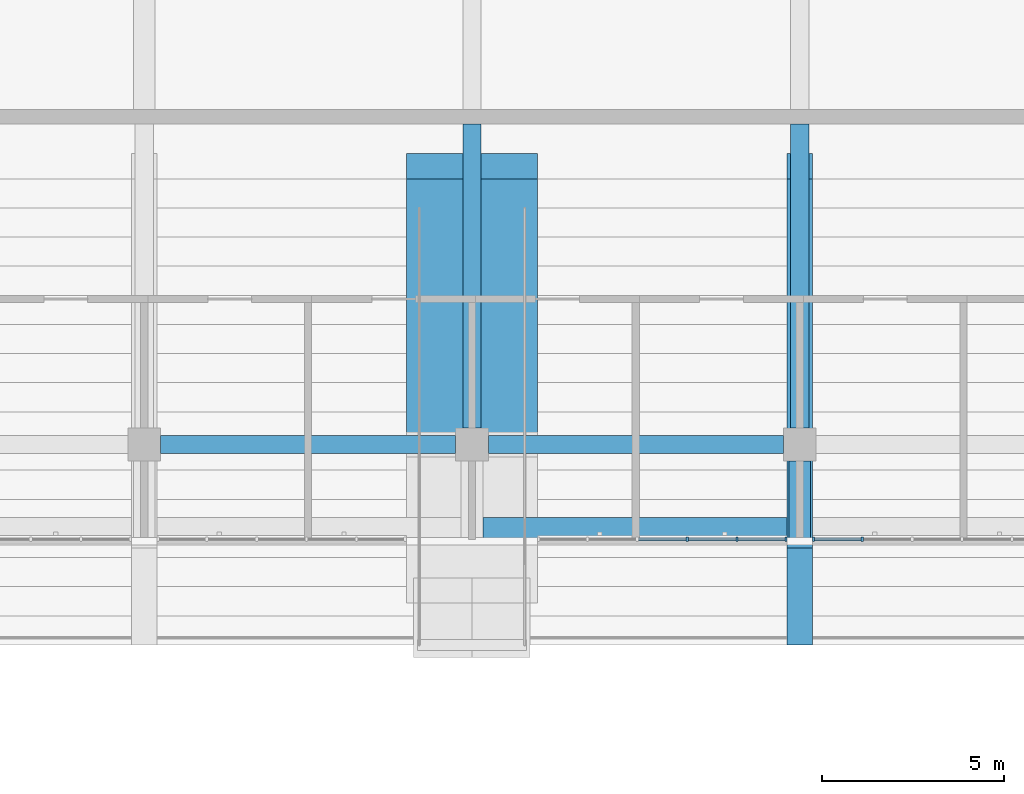
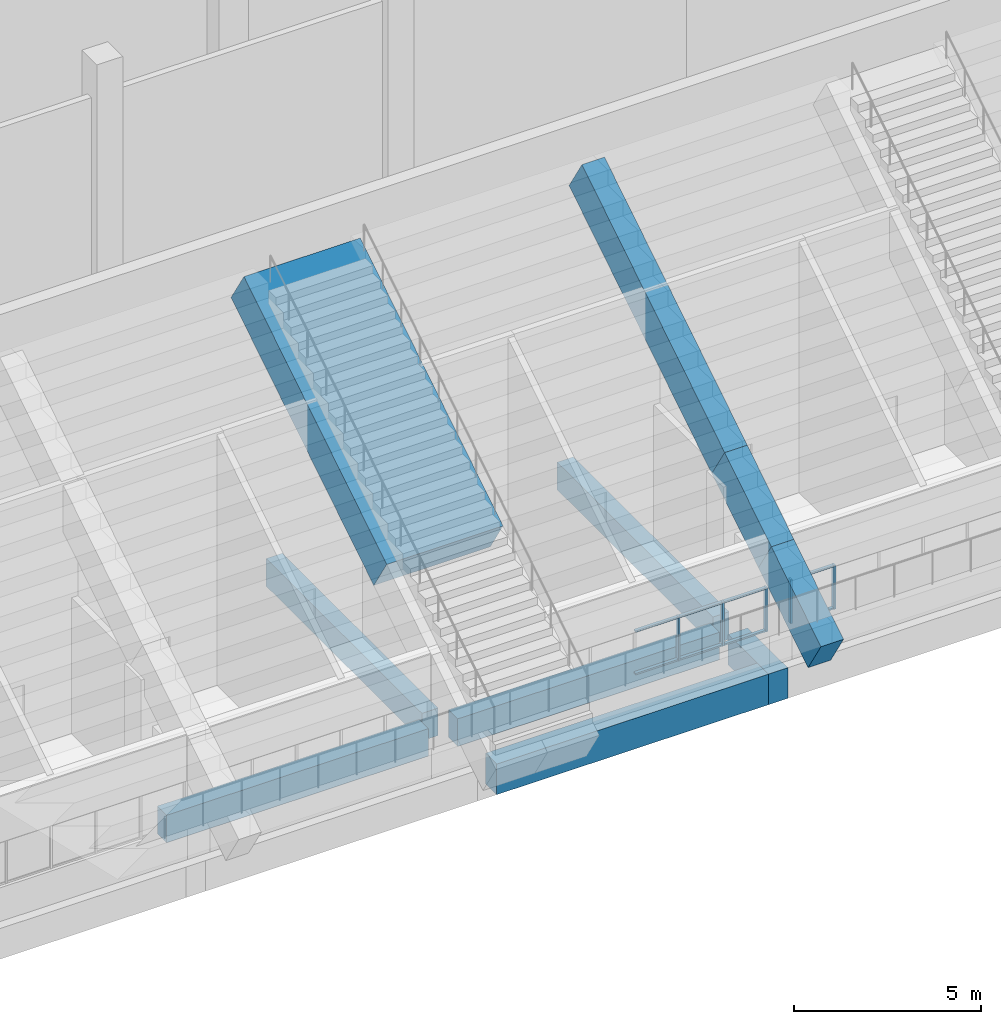
# One storey, part 37 of 182: 13 members, 10 beams, 2 elements without a shape of their own.
"""IFC4 building model written with IfcOpenShell, lengths in metres."""

from ifc_helpers import new_model, si_unit, direction, frame, origin, origin_2d, place, context, subcontext, project, spatial, rectangle, extrude, material, material_profile, profile_set, type_object, element, aggregate, save


model = new_model("IFC4")

# Units and contexts
model_context = context("Model", 3, precision=1e-05, world=origin(), true_north=direction((0.0, 1.0)))
body_context = subcontext(model_context, "Body", "Model", "MODEL_VIEW")
ifc_project = project(units=[si_unit("LENGTHUNIT", "METRE"), si_unit("AREAUNIT", "SQUARE_METRE"), si_unit("VOLUMEUNIT", "CUBIC_METRE"), si_unit("PLANEANGLEUNIT", "RADIAN"), si_unit("MASSUNIT", "GRAM", prefix="KILO")], contexts=[model_context])

# Site, building, storey
site_placement = place(None, origin())
site = spatial("IfcSite", under=ifc_project, at=site_placement, CompositionType="ELEMENT")
building_placement = place(site_placement, origin())
building = spatial("IfcBuilding", under=site, at=building_placement, Name="Silverbay Arena", CompositionType="ELEMENT")
storey_placement = place(building_placement, frame((0.0, 0.0, 11.5)))
storey = spatial("IfcBuildingStorey", under=building, at=storey_placement, Name="L02", CompositionType="ELEMENT", Elevation=11.5)

# Curtain wall, members
ifc_material_1 = material(Name="Fire-resisting glass", Category="glass")
curtain_wall_type = type_object("IfcCurtainWallType", Name="Fire-resisting glazed screen EI 120 6850 x 1437", PredefinedType="NOTDEFINED", material=ifc_material_1)
curtain_wall_1_placement = place(storey_placement, origin())
curtain_wall_1 = element("IfcCurtainWall", 1, at=curtain_wall_1_placement, inside=storey, type_object=curtain_wall_type, Name="North suite front 4", PredefinedType="NOTDEFINED")
ifc_material_2 = material(Name="Aluminium", Category="aluminium")
ifc_material_profile_1 = material_profile(ifc_material_2, rectangle(XDim=0.1201171875, YDim=0.06005859375, at=origin_2d()), Name="Mullion 60 x 120")
ifc_profile_set_1 = profile_set([ifc_material_profile_1], Name="Aluminium")
member_type_1 = type_object("IfcMemberType", Name="Mullion 60 x 120", PredefinedType="MULLION", material=ifc_profile_set_1)
member_1_placement = place(storey_placement, frame((131.909912109375, 114.39990234375, 1.10009765625), z_axis=(0.0, 0.0, 1.0), x_axis=(0.0, 1.0, 0.0)))
member_1 = element("IfcMember", 2, at=member_1_placement, type_object=member_type_1, Name="CW19 mullion 4", PredefinedType="MULLION", context=body_context, shape_type="SweptSolid", body=[
    extrude(rectangle(XDim=0.1201171875, YDim=0.06005859375, at=origin_2d()), origin(), (0.0, 0.0, 1.0), 1.43701171875),
])
member_2_placement = place(storey_placement, frame((133.280029296875, 114.39990234375, 1.10009765625), z_axis=(0.0, 0.0, 1.0), x_axis=(0.0, 1.0, 0.0)))
member_2 = element("IfcMember", 3, at=member_2_placement, type_object=member_type_1, Name="CW19 mullion 5", PredefinedType="MULLION", context=body_context, shape_type="SweptSolid", body=[
    extrude(rectangle(XDim=0.1201171875, YDim=0.06005859375, at=origin_2d()), origin(), (0.0, 0.0, 1.0), 1.43701171875),
])
member_3_placement = place(storey_placement, frame((134.6201171875, 114.39990234375, 1.10009765625), z_axis=(0.0, 0.0, 1.0), x_axis=(0.0, 1.0, 0.0)))
member_3 = element("IfcMember", 4, at=member_3_placement, type_object=member_type_1, Name="CW19 mullion 6", PredefinedType="MULLION", context=body_context, shape_type="SweptSolid", body=[
    extrude(rectangle(XDim=0.1201171875, YDim=0.06005859375, at=origin_2d()), origin(), (0.0, 0.0, 1.0), 1.43701171875),
])

curtain_wall_2_placement = place(storey_placement, origin())
curtain_wall_2 = element("IfcCurtainWall", 5, at=curtain_wall_2_placement, inside=storey, type_object=curtain_wall_type, Name="North suite front 5", PredefinedType="NOTDEFINED")
member_4_placement = place(storey_placement, frame((135.3798828125, 114.39990234375, 1.10009765625), z_axis=(0.0, 0.0, 1.0), x_axis=(0.0, 1.0, 0.0)))
member_4 = element("IfcMember", 6, at=member_4_placement, type_object=member_type_1, Name="CW19 mullion 1", PredefinedType="MULLION", context=body_context, shape_type="SweptSolid", body=[
    extrude(rectangle(XDim=0.1201171875, YDim=0.06005859375, at=origin_2d()), origin(), (0.0, 0.0, 1.0), 1.43701171875),
])
member_5_placement = place(storey_placement, frame((136.719970703125, 114.39990234375, 1.10009765625), z_axis=(0.0, 0.0, 1.0), x_axis=(0.0, 1.0, 0.0)))
member_5 = element("IfcMember", 7, at=member_5_placement, type_object=member_type_1, Name="CW19 mullion 2", PredefinedType="MULLION", context=body_context, shape_type="SweptSolid", body=[
    extrude(rectangle(XDim=0.1201171875, YDim=0.06005859375, at=origin_2d()), origin(), (0.0, 0.0, 1.0), 1.43701171875),
])

# Beams
ifc_material_3 = material(Name="Concrete Grade C45", Category="concrete")
ifc_material_profile_2 = material_profile(ifc_material_3, rectangle(XDim=0.5, YDim=0.89990234375, at=origin_2d()), Name="RC 500x900")
ifc_profile_set_2 = profile_set([ifc_material_profile_2], Name="Concrete Grade C45")
beam_type_1 = type_object("IfcBeamType", Name="RC beam 500x900", PredefinedType="BEAM", material=ifc_profile_set_2)
for number, where, z_axis, x_axis, name in (
    (8, (117.449951171875, 117.0, -0.800048828125), (1.0, 0.0, 0.0), (0.0, 1.0, 0.0), "Floor beam L02 144"),
    (9, (126.449951171875, 117.0, -0.800048828125), (1.0, 0.0, 0.0), (0.0, 1.0, 0.0), "Floor beam L02 145"),
):
    element("IfcBeam", number, at=place(storey_placement, frame(where, z_axis=z_axis, x_axis=x_axis)), inside=storey, type_object=beam_type_1, Name=name, PredefinedType="BEAM", context=body_context, shape_type="SweptSolid", body=[
        extrude(rectangle(XDim=0.5, YDim=0.89990234375, at=origin_2d()), origin(), (0.0, 0.0, 1.0), 8.10009765625),
    ])
for number, where, z_axis, x_axis, name in (
    (10, (126.0, 117.449951171875, -0.800048828125), (0.0, 1.0, 0.0), (-1.0, 0.0, 0.0), "Floor beam L02 270"),
    (11, (135.0, 117.449951171875, -0.800048828125), (0.0, 1.0, 0.0), (-1.0, 0.0, 0.0), "Floor beam L02 278"),
):
    element("IfcBeam", number, at=place(storey_placement, frame(where, z_axis=z_axis, x_axis=x_axis)), inside=storey, type_object=beam_type_1, Name=name, PredefinedType="BEAM", context=body_context, shape_type="SweptSolid", body=[
        extrude(rectangle(XDim=0.5, YDim=0.89990234375, at=origin_2d()), origin(), (0.0, 0.0, 1.0), 8.35009765625),
    ])
ifc_material_4 = material(Name="Concrete Grade C45", Category="concrete")
ifc_material_profile_3 = material_profile(ifc_material_4, rectangle(XDim=0.60009765625, YDim=1.0, at=origin_2d()), Name="RC 600x1000")
ifc_profile_set_3 = profile_set([ifc_material_profile_3], Name="Concrete Grade C45")
beam_type_2 = type_object("IfcBeamType", Name="RC beam 600x1000", PredefinedType="BEAM", material=ifc_profile_set_3)
beam_1_placement = place(storey_placement, frame((135.0, 114.39990234375, -0.85009765625), z_axis=(0.0, 1.0, 0.0), x_axis=(-1.0, 0.0, 0.0)))
element("IfcBeam", 12, at=beam_1_placement, inside=storey, type_object=beam_type_2, Name="Floor beam L02 277", PredefinedType="BEAM", context=body_context, shape_type="SweptSolid", body=[
    extrude(rectangle(XDim=0.60009765625, YDim=1.0, at=origin_2d()), origin(), (0.0, 0.0, 1.0), 2.150146484375),
])
beam_2_placement = place(storey_placement, frame((126.300048828125, 114.699951171875, -0.85009765625), z_axis=(1.0, 0.0, 0.0), x_axis=(0.0, 1.0, 0.0)))
element("IfcBeam", 13, at=beam_2_placement, inside=storey, type_object=beam_type_2, Name="Floor beam L02 375", PredefinedType="BEAM", context=body_context, shape_type="SweptSolid", body=[
    extrude(rectangle(XDim=0.60009765625, YDim=1.0, at=origin_2d()), origin(), (0.0, 0.0, 1.0), 8.39990234375),
])
ifc_material_5 = material(Name="Concrete Grade C45", Category="concrete")
ifc_material_profile_4 = material_profile(ifc_material_5, rectangle(XDim=0.699951171875, YDim=1.300048828125, at=origin_2d()), Name="RC 700x1300")
ifc_profile_set_4 = profile_set([ifc_material_profile_4], Name="Concrete Grade C45")
beam_type_3 = type_object("IfcBeamType", Name="RC cantilever raker 700x1300", PredefinedType="BEAM", material=ifc_profile_set_4)
beam_3_placement = place(storey_placement, frame((135.0, 111.844482421875, 1.768798828125), z_axis=(0.0, 0.848002683915, 0.529991932082), x_axis=(-1.0, 0.0, 0.0)))
element("IfcBeam", 14, at=beam_3_placement, inside=storey, type_object=beam_type_3, Name="Raker North upper 135 tip", PredefinedType="BEAM", context=body_context, shape_type="SweptSolid", body=[
    extrude(rectangle(XDim=0.699951171875, YDim=1.300048828125, at=origin_2d()), origin(), (0.0, 0.0, 1.0), 3.131591796875),
])
beam_4_placement = place(storey_placement, frame((135.0, 114.5, 3.428466796875), z_axis=(0.0, 0.847998304005, 0.529998940003), x_axis=(-1.0, 0.0, 0.0)))
element("IfcBeam", 15, at=beam_4_placement, inside=storey, type_object=beam_type_3, Name="Raker North upper 135 mid", PredefinedType="BEAM", context=body_context, shape_type="SweptSolid", body=[
    extrude(rectangle(XDim=0.699951171875, YDim=1.300048828125, at=origin_2d()), origin(), (0.0, 0.0, 1.0), 2.947998046875),
])
ifc_material_6 = material(Name="Concrete Grade C45", Category="concrete")
ifc_material_profile_5 = material_profile(ifc_material_6, rectangle(XDim=3.60009765625, YDim=1.300048828125, at=origin_2d()), Name="RC 3600x1300")
ifc_profile_set_5 = profile_set([ifc_material_profile_5], Name="Concrete Grade C45")
beam_type_4 = type_object("IfcBeamType", Name="RC tier raker 3600x1300", PredefinedType="BEAM", material=ifc_profile_set_5)
beam_5_placement = place(storey_placement, frame((126.0, 117.0, 4.990966796875), z_axis=(0.0, 0.847998304005, 0.529998940003), x_axis=(-1.0, 0.0, 0.0)))
element("IfcBeam", 16, at=beam_5_placement, inside=storey, type_object=beam_type_4, Name="Raker North upper 126 back", PredefinedType="BEAM", context=body_context, shape_type="SweptSolid", body=[
    extrude(rectangle(XDim=3.60009765625, YDim=1.300048828125, at=origin_2d()), origin(), (0.0, 0.0, 1.0), 9.014892578125),
])
ifc_material_7 = material(Name="Concrete Grade C45", Category="concrete")
ifc_material_profile_6 = material_profile(ifc_material_7, rectangle(XDim=0.699951171875, YDim=1.300048828125, at=origin_2d()), Name="RC 700x1300")
ifc_profile_set_6 = profile_set([ifc_material_profile_6], Name="Concrete Grade C45")
beam_type_5 = type_object("IfcBeamType", Name="RC tier raker 700x1300", PredefinedType="BEAM", material=ifc_profile_set_6)
beam_6_placement = place(storey_placement, frame((135.0, 117.0, 4.990966796875), z_axis=(0.0, 0.847998304005, 0.529998940003), x_axis=(-1.0, 0.0, 0.0)))
element("IfcBeam", 17, at=beam_6_placement, inside=storey, type_object=beam_type_5, Name="Raker North upper 135 back", PredefinedType="BEAM", context=body_context, shape_type="SweptSolid", body=[
    extrude(rectangle(XDim=0.699951171875, YDim=1.300048828125, at=origin_2d()), origin(), (0.0, 0.0, 1.0), 9.014892578125),
])

# Member
ifc_material_8 = material(Name="Aluminium", Category="aluminium")
ifc_material_profile_7 = material_profile(ifc_material_8, rectangle(XDim=0.10009765625, YDim=0.050048828125, at=origin_2d()), Name="Transom 50 x 100")
ifc_profile_set_7 = profile_set([ifc_material_profile_7], Name="Aluminium")
member_type_2 = type_object("IfcMemberType", Name="Transom 50 x 100", PredefinedType="USERDEFINED", material=ifc_profile_set_7)
member_6_placement = place(storey_placement, frame((130.570068359375, 114.39990234375, 1.125), z_axis=(1.0, 0.0, 0.0), x_axis=(0.0, 1.0, 0.0)))
member_6 = element("IfcMember", 18, at=member_6_placement, type_object=member_type_2, Name="CW19 transom 3.1", ObjectType="TRANSOM", PredefinedType="USERDEFINED", context=body_context, shape_type="SweptSolid", body=[
    extrude(rectangle(XDim=0.10009765625, YDim=0.050048828125, at=origin_2d()), origin(), (0.0, 0.0, 1.0), 1.309814453125),
])

member_7_placement = place(storey_placement, frame((130.570068359375, 114.39990234375, 2.511962890625), z_axis=(1.0, 0.0, 0.0), x_axis=(0.0, 1.0, 0.0)))
member_7 = element("IfcMember", 19, at=member_7_placement, type_object=member_type_2, Name="CW19 transom 3.2", ObjectType="TRANSOM", PredefinedType="USERDEFINED", context=body_context, shape_type="SweptSolid", body=[
    extrude(rectangle(XDim=0.10009765625, YDim=0.050048828125, at=origin_2d()), origin(), (0.0, 0.0, 1.0), 1.309814453125),
])

member_8_placement = place(storey_placement, frame((131.93994140625, 114.39990234375, 1.125), z_axis=(1.0, 0.0, 0.0), x_axis=(0.0, 1.0, 0.0)))
member_8 = element("IfcMember", 20, at=member_8_placement, type_object=member_type_2, Name="CW19 transom 4.1", ObjectType="TRANSOM", PredefinedType="USERDEFINED", context=body_context, shape_type="SweptSolid", body=[
    extrude(rectangle(XDim=0.10009765625, YDim=0.050048828125, at=origin_2d()), origin(), (0.0, 0.0, 1.0), 1.31005859375),
])

member_9_placement = place(storey_placement, frame((131.93994140625, 114.39990234375, 2.511962890625), z_axis=(1.0, 0.0, 0.0), x_axis=(0.0, 1.0, 0.0)))
member_9 = element("IfcMember", 21, at=member_9_placement, type_object=member_type_2, Name="CW19 transom 4.2", ObjectType="TRANSOM", PredefinedType="USERDEFINED", context=body_context, shape_type="SweptSolid", body=[
    extrude(rectangle(XDim=0.10009765625, YDim=0.050048828125, at=origin_2d()), origin(), (0.0, 0.0, 1.0), 1.31005859375),
])

member_10_placement = place(storey_placement, frame((133.31005859375, 114.39990234375, 1.125), z_axis=(1.0, 0.0, 0.0), x_axis=(0.0, 1.0, 0.0)))
member_10 = element("IfcMember", 22, at=member_10_placement, type_object=member_type_2, Name="CW19 transom 5.1", ObjectType="TRANSOM", PredefinedType="USERDEFINED", context=body_context, shape_type="SweptSolid", body=[
    extrude(rectangle(XDim=0.10009765625, YDim=0.050048828125, at=origin_2d()), origin(), (0.0, 0.0, 1.0), 1.280029296875),
])

member_11_placement = place(storey_placement, frame((133.31005859375, 114.39990234375, 2.511962890625), z_axis=(1.0, 0.0, 0.0), x_axis=(0.0, 1.0, 0.0)))
member_11 = element("IfcMember", 23, at=member_11_placement, type_object=member_type_2, Name="CW19 transom 5.2", ObjectType="TRANSOM", PredefinedType="USERDEFINED", context=body_context, shape_type="SweptSolid", body=[
    extrude(rectangle(XDim=0.10009765625, YDim=0.050048828125, at=origin_2d()), origin(), (0.0, 0.0, 1.0), 1.280029296875),
])

aggregate(curtain_wall_1, [member_1, member_2, member_3, member_6, member_7, member_8, member_9, member_10, member_11])

member_12_placement = place(storey_placement, frame((135.409912109375, 114.39990234375, 1.125), z_axis=(1.0, 0.0, 0.0), x_axis=(0.0, 1.0, 0.0)))
member_12 = element("IfcMember", 24, at=member_12_placement, type_object=member_type_2, Name="CW19 transom 1.1", ObjectType="TRANSOM", PredefinedType="USERDEFINED", context=body_context, shape_type="SweptSolid", body=[
    extrude(rectangle(XDim=0.10009765625, YDim=0.050048828125, at=origin_2d()), origin(), (0.0, 0.0, 1.0), 1.280029296875),
])

member_13_placement = place(storey_placement, frame((135.409912109375, 114.39990234375, 2.511962890625), z_axis=(1.0, 0.0, 0.0), x_axis=(0.0, 1.0, 0.0)))
member_13 = element("IfcMember", 25, at=member_13_placement, type_object=member_type_2, Name="CW19 transom 1.2", ObjectType="TRANSOM", PredefinedType="USERDEFINED", context=body_context, shape_type="SweptSolid", body=[
    extrude(rectangle(XDim=0.10009765625, YDim=0.050048828125, at=origin_2d()), origin(), (0.0, 0.0, 1.0), 1.280029296875),
])

aggregate(curtain_wall_2, [member_4, member_5, member_12, member_13])

save(model, "model.ifc")
